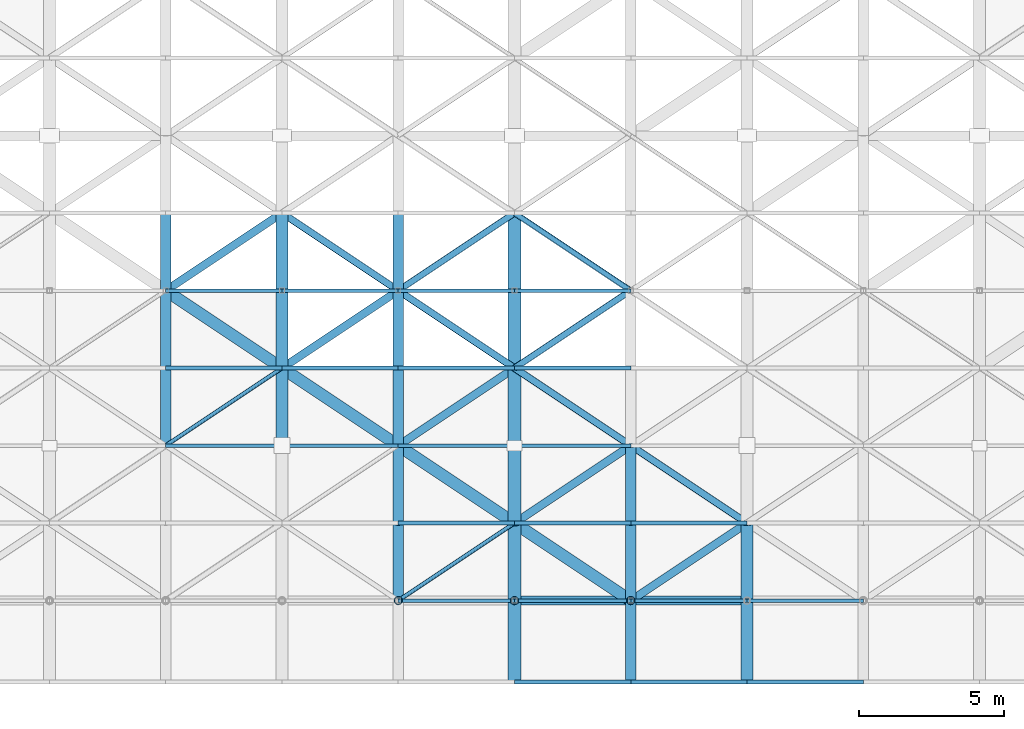
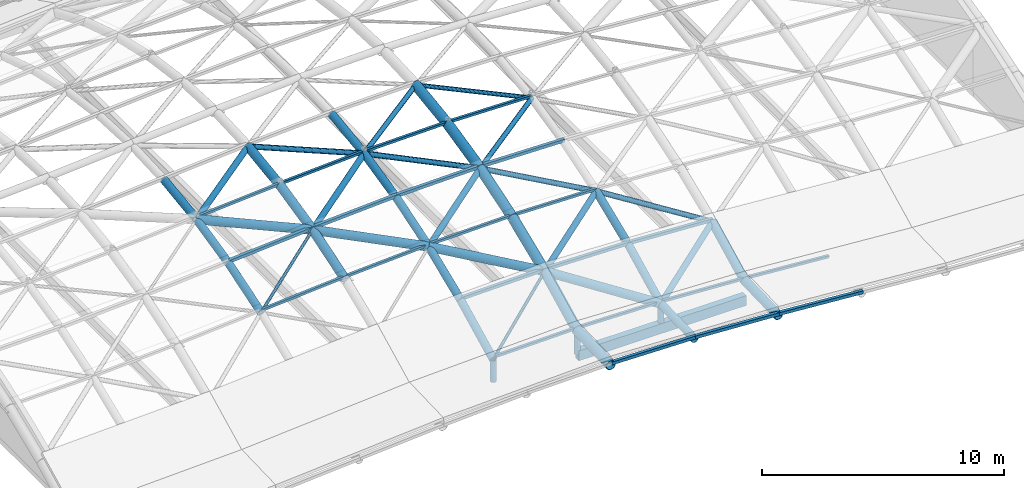
# One storey, part 28 of 72: 43 members, 23 beams.
"""IFC4 building model written with IfcOpenShell, lengths in metres."""

from ifc_helpers import new_model, si_unit, direction, frame, origin, origin_2d, place, context, subcontext, project, spatial, hollow_rectangle, hollow_circle, extrude, material, material_profile, profile_set, type_object, element, save


model = new_model("IFC4")

# Units and contexts
model_context = context("Model", 3, precision=1e-05, world=origin(), true_north=direction((0.0, 1.0)))
body_context = subcontext(model_context, "Body", "Model", "MODEL_VIEW")
ifc_project = project(units=[si_unit("LENGTHUNIT", "METRE"), si_unit("AREAUNIT", "SQUARE_METRE"), si_unit("VOLUMEUNIT", "CUBIC_METRE"), si_unit("PLANEANGLEUNIT", "RADIAN"), si_unit("MASSUNIT", "GRAM", prefix="KILO")], contexts=[model_context])

# Site, building, storey
site_placement = place(None, origin())
site = spatial("IfcSite", under=ifc_project, at=site_placement, CompositionType="ELEMENT")
building_placement = place(site_placement, origin())
building = spatial("IfcBuilding", under=site, at=building_placement, Name="Tenunan Teduh Sports Hall", CompositionType="ELEMENT")
storey_placement = place(building_placement, frame((0.0, 0.0, 15.0)))
storey = spatial("IfcBuildingStorey", under=building, at=storey_placement, Name="L03", CompositionType="ELEMENT", Elevation=15.0)

# Beams
ifc_material_1 = material(Name="Steel S355", Category="steel")
ifc_material_profile_1 = material_profile(ifc_material_1, hollow_circle(Radius=0.177734375, WallThickness=0.012451171875, at=origin_2d()), Name="CHS 355.6x12.5")
ifc_profile_set_1 = profile_set([ifc_material_profile_1], Name="Steel S355")
beam_type_1 = type_object("IfcBeamType", Name="GSB-CHS356", PredefinedType="BEAM", material=ifc_profile_set_1)
beam_1_placement = place(storey_placement, frame((134.0, 19.333251953125, 2.6669921875), z_axis=(0.0, 0.952205270427, 0.305458872798), x_axis=(-1.0, 0.0, 0.0)))
element("IfcBeam", 1, at=beam_1_placement, inside=storey, type_object=beam_type_1, Name="Gridshell Vault Arch BM-GR-04-L03-0111", PredefinedType="BEAM", context=body_context, shape_type="SweptSolid", body=[
    extrude(hollow_circle(Radius=0.177734375, WallThickness=0.012451171875, at=origin_2d()), origin(), (0.0, 0.0, 1.0), 2.800537109375),
])
beam_2_placement = place(storey_placement, frame((134.0, 22.0, 3.5224609375), z_axis=(0.0, 0.974871798782, 0.222766640095), x_axis=(-1.0, 0.0, 0.0)))
element("IfcBeam", 2, at=beam_2_placement, inside=storey, type_object=beam_type_1, Name="Gridshell Vault Arch BM-GR-04-L03-0112", PredefinedType="BEAM", context=body_context, shape_type="SweptSolid", body=[
    extrude(hollow_circle(Radius=0.177734375, WallThickness=0.012451171875, at=origin_2d()), origin(), (0.0, 0.0, 1.0), 2.735595703125),
])
beam_3_placement = place(storey_placement, frame((134.0, 24.666748046875, 4.1318359375), z_axis=(0.0, 0.99065158568, 0.136416405866), x_axis=(-1.0, 0.0, 0.0)))
element("IfcBeam", 3, at=beam_3_placement, inside=storey, type_object=beam_type_1, Name="Gridshell Vault Arch BM-GR-04-L03-0113", PredefinedType="BEAM", context=body_context, shape_type="SweptSolid", body=[
    extrude(hollow_circle(Radius=0.177734375, WallThickness=0.012451171875, at=origin_2d()), origin(), (0.0, 0.0, 1.0), 2.691650390625),
])
beam_4_placement = place(storey_placement, frame((142.0, 14.0, 0.7412109375), z_axis=(0.0, 0.893033000477, 0.449991177756), x_axis=(-1.0, 0.0, 0.0)))
element("IfcBeam", 4, at=beam_4_placement, inside=storey, type_object=beam_type_1, Name="Gridshell Vault Arch BM-GR-04-L03-0135", PredefinedType="BEAM", context=body_context, shape_type="SweptSolid", body=[
    extrude(hollow_circle(Radius=0.177734375, WallThickness=0.012451171875, at=origin_2d()), origin(), (0.0, 0.0, 1.0), 2.986083984375),
])
beam_5_placement = place(storey_placement, frame((142.0, 16.666748046875, 2.0849609375), z_axis=(0.0, 0.924239355634, 0.381813584748), x_axis=(-1.0, 0.0, 0.0)))
element("IfcBeam", 5, at=beam_5_placement, inside=storey, type_object=beam_type_1, Name="Gridshell Vault Arch BM-GR-04-L03-0136", PredefinedType="BEAM", context=body_context, shape_type="SweptSolid", body=[
    extrude(hollow_circle(Radius=0.177734375, WallThickness=0.012451171875, at=origin_2d()), origin(), (0.0, 0.0, 1.0), 2.885009765625),
])
beam_6_placement = place(storey_placement, frame((142.0, 19.333251953125, 3.1865234375), z_axis=(0.0, 0.952205270427, 0.305458872798), x_axis=(-1.0, 0.0, 0.0)))
element("IfcBeam", 6, at=beam_6_placement, inside=storey, type_object=beam_type_1, Name="Gridshell Vault Arch BM-GR-04-L03-0137", PredefinedType="BEAM", context=body_context, shape_type="SweptSolid", body=[
    extrude(hollow_circle(Radius=0.177734375, WallThickness=0.012451171875, at=origin_2d()), origin(), (0.0, 0.0, 1.0), 2.800537109375),
])
beam_7_placement = place(storey_placement, frame((142.0, 22.0, 4.0419921875), z_axis=(0.0, 0.974871798782, 0.222766640095), x_axis=(-1.0, 0.0, 0.0)))
element("IfcBeam", 7, at=beam_7_placement, inside=storey, type_object=beam_type_1, Name="Gridshell Vault Arch BM-GR-04-L03-0138", PredefinedType="BEAM", context=body_context, shape_type="SweptSolid", body=[
    extrude(hollow_circle(Radius=0.177734375, WallThickness=0.012451171875, at=origin_2d()), origin(), (0.0, 0.0, 1.0), 2.735595703125),
])
beam_8_placement = place(storey_placement, frame((142.0, 24.666748046875, 4.6513671875), z_axis=(0.0, 0.99065158568, 0.136416405866), x_axis=(-1.0, 0.0, 0.0)))
element("IfcBeam", 8, at=beam_8_placement, inside=storey, type_object=beam_type_1, Name="Gridshell Vault Arch BM-GR-04-L03-0139", PredefinedType="BEAM", context=body_context, shape_type="SweptSolid", body=[
    extrude(hollow_circle(Radius=0.177734375, WallThickness=0.012451171875, at=origin_2d()), origin(), (0.0, 0.0, 1.0), 2.691650390625),
])
beam_9_placement = place(storey_placement, frame((150.0, 11.199951171875, 0.6552734375), z_axis=(0.0, 0.999529350566, 0.030676984166), x_axis=(-1.0, 0.0, 0.0)))
element("IfcBeam", 9, at=beam_9_placement, inside=storey, type_object=beam_type_1, Name="Gridshell Vault Arch BM-GR-04-L03-0160", PredefinedType="BEAM", context=body_context, shape_type="SweptSolid", body=[
    extrude(hollow_circle(Radius=0.177734375, WallThickness=0.012451171875, at=origin_2d()), origin(), (0.0, 0.0, 1.0), 2.80126953125),
])
beam_10_placement = place(storey_placement, frame((150.0, 14.0, 0.7412109375), z_axis=(0.0, 0.893033000477, 0.449991177756), x_axis=(-1.0, 0.0, 0.0)))
element("IfcBeam", 10, at=beam_10_placement, inside=storey, type_object=beam_type_1, Name="Gridshell Vault Arch BM-GR-04-L03-0161", PredefinedType="BEAM", context=body_context, shape_type="SweptSolid", body=[
    extrude(hollow_circle(Radius=0.177734375, WallThickness=0.012451171875, at=origin_2d()), origin(), (0.0, 0.0, 1.0), 2.986083984375),
])
beam_11_placement = place(storey_placement, frame((150.0, 16.666748046875, 2.0849609375), z_axis=(0.0, 0.924239355634, 0.381813584748), x_axis=(-1.0, 0.0, 0.0)))
element("IfcBeam", 11, at=beam_11_placement, inside=storey, type_object=beam_type_1, Name="Gridshell Vault Arch BM-GR-04-L03-0162", PredefinedType="BEAM", context=body_context, shape_type="SweptSolid", body=[
    extrude(hollow_circle(Radius=0.177734375, WallThickness=0.012451171875, at=origin_2d()), origin(), (0.0, 0.0, 1.0), 2.885009765625),
])
ifc_material_2 = material(Name="Steel S355", Category="steel")
ifc_material_profile_2 = material_profile(ifc_material_2, hollow_circle(Radius=0.203125, WallThickness=0.01611328125, at=origin_2d()), Name="CHS 406.4x16.0")
ifc_profile_set_2 = profile_set([ifc_material_profile_2], Name="Steel S355")
beam_type_2 = type_object("IfcBeamType", Name="GSB-CHS406", PredefinedType="BEAM", material=ifc_profile_set_2)
beam_12_placement = place(storey_placement, frame((138.0, 19.333251953125, 2.9638671875), z_axis=(0.0, 0.952205270427, 0.305458872798), x_axis=(-1.0, 0.0, 0.0)))
element("IfcBeam", 12, at=beam_12_placement, inside=storey, type_object=beam_type_2, Name="Gridshell Vault Arch BM-GA-02-L03-0124", PredefinedType="BEAM", context=body_context, shape_type="SweptSolid", body=[
    extrude(hollow_circle(Radius=0.203125, WallThickness=0.01611328125, at=origin_2d()), origin(), (0.0, 0.0, 1.0), 2.800537109375),
])
beam_13_placement = place(storey_placement, frame((138.0, 22.0, 3.8193359375), z_axis=(0.0, 0.974871798782, 0.222766640095), x_axis=(-1.0, 0.0, 0.0)))
element("IfcBeam", 13, at=beam_13_placement, inside=storey, type_object=beam_type_2, Name="Gridshell Vault Arch BM-GA-02-L03-0125", PredefinedType="BEAM", context=body_context, shape_type="SweptSolid", body=[
    extrude(hollow_circle(Radius=0.203125, WallThickness=0.01611328125, at=origin_2d()), origin(), (0.0, 0.0, 1.0), 2.735595703125),
])
beam_14_placement = place(storey_placement, frame((138.0, 24.666748046875, 4.4287109375), z_axis=(0.0, 0.99065158568, 0.136416405866), x_axis=(-1.0, 0.0, 0.0)))
element("IfcBeam", 14, at=beam_14_placement, inside=storey, type_object=beam_type_2, Name="Gridshell Vault Arch BM-GA-02-L03-0126", PredefinedType="BEAM", context=body_context, shape_type="SweptSolid", body=[
    extrude(hollow_circle(Radius=0.203125, WallThickness=0.01611328125, at=origin_2d()), origin(), (0.0, 0.0, 1.0), 2.691650390625),
])
beam_15_placement = place(storey_placement, frame((154.0, 11.199951171875, 0.4326171875), z_axis=(0.0, 0.999529350566, 0.030676984166), x_axis=(-1.0, 0.0, 0.0)))
element("IfcBeam", 15, at=beam_15_placement, inside=storey, type_object=beam_type_2, Name="Gridshell Vault Arch BM-GA-02-L03-0173", PredefinedType="BEAM", context=body_context, shape_type="SweptSolid", body=[
    extrude(hollow_circle(Radius=0.203125, WallThickness=0.01611328125, at=origin_2d()), origin(), (0.0, 0.0, 1.0), 2.80126953125),
])
beam_16_placement = place(storey_placement, frame((154.0, 14.0, 0.5185546875), z_axis=(0.0, 0.893033000477, 0.449991177756), x_axis=(-1.0, 0.0, 0.0)))
element("IfcBeam", 16, at=beam_16_placement, inside=storey, type_object=beam_type_2, Name="Gridshell Vault Arch BM-GA-02-L03-0174", PredefinedType="BEAM", context=body_context, shape_type="SweptSolid", body=[
    extrude(hollow_circle(Radius=0.203125, WallThickness=0.01611328125, at=origin_2d()), origin(), (0.0, 0.0, 1.0), 2.986083984375),
])
ifc_material_3 = material(Name="Steel S355", Category="steel")
ifc_material_profile_3 = material_profile(ifc_material_3, hollow_circle(Radius=0.228515625, WallThickness=0.01611328125, at=origin_2d()), Name="CHS 457.0x16.0")
ifc_profile_set_3 = profile_set([ifc_material_profile_3], Name="Steel S355")
beam_type_3 = type_object("IfcBeamType", Name="GSB-CHS457", PredefinedType="BEAM", material=ifc_profile_set_3)
beam_17_placement = place(storey_placement, frame((146.0, 11.199951171875, 0.7333984375), z_axis=(0.0, 0.999529350566, 0.030676984166), x_axis=(-1.0, 0.0, 0.0)))
element("IfcBeam", 17, at=beam_17_placement, inside=storey, type_object=beam_type_3, Name="Gridshell Vault Arch BM-GA-01-L03-0147", PredefinedType="BEAM", context=body_context, shape_type="SweptSolid", body=[
    extrude(hollow_circle(Radius=0.228515625, WallThickness=0.01611328125, at=origin_2d()), origin(), (0.0, 0.0, 1.0), 2.80126953125),
])
beam_18_placement = place(storey_placement, frame((146.0, 14.0, 0.8193359375), z_axis=(0.0, 0.893033000477, 0.449991177756), x_axis=(-1.0, 0.0, 0.0)))
element("IfcBeam", 18, at=beam_18_placement, inside=storey, type_object=beam_type_3, Name="Gridshell Vault Arch BM-GA-01-L03-0148", PredefinedType="BEAM", context=body_context, shape_type="SweptSolid", body=[
    extrude(hollow_circle(Radius=0.228515625, WallThickness=0.01611328125, at=origin_2d()), origin(), (0.0, 0.0, 1.0), 2.986083984375),
])
beam_19_placement = place(storey_placement, frame((146.0, 16.666748046875, 2.1630859375), z_axis=(0.0, 0.924239355634, 0.381813584748), x_axis=(-1.0, 0.0, 0.0)))
element("IfcBeam", 19, at=beam_19_placement, inside=storey, type_object=beam_type_3, Name="Gridshell Vault Arch BM-GA-01-L03-0149", PredefinedType="BEAM", context=body_context, shape_type="SweptSolid", body=[
    extrude(hollow_circle(Radius=0.228515625, WallThickness=0.01611328125, at=origin_2d()), origin(), (0.0, 0.0, 1.0), 2.885009765625),
])
beam_20_placement = place(storey_placement, frame((146.0, 19.333251953125, 3.2646484375), z_axis=(0.0, 0.952205270427, 0.305458872798), x_axis=(-1.0, 0.0, 0.0)))
element("IfcBeam", 20, at=beam_20_placement, inside=storey, type_object=beam_type_3, Name="Gridshell Vault Arch BM-GA-01-L03-0150", PredefinedType="BEAM", context=body_context, shape_type="SweptSolid", body=[
    extrude(hollow_circle(Radius=0.228515625, WallThickness=0.01611328125, at=origin_2d()), origin(), (0.0, 0.0, 1.0), 2.800537109375),
])
beam_21_placement = place(storey_placement, frame((146.0, 22.0, 4.1201171875), z_axis=(0.0, 0.974871798782, 0.222766640095), x_axis=(-1.0, 0.0, 0.0)))
element("IfcBeam", 21, at=beam_21_placement, inside=storey, type_object=beam_type_3, Name="Gridshell Vault Arch BM-GA-01-L03-0151", PredefinedType="BEAM", context=body_context, shape_type="SweptSolid", body=[
    extrude(hollow_circle(Radius=0.228515625, WallThickness=0.01611328125, at=origin_2d()), origin(), (0.0, 0.0, 1.0), 2.735595703125),
])
beam_22_placement = place(storey_placement, frame((146.0, 24.666748046875, 4.7294921875), z_axis=(0.0, 0.99065158568, 0.136416405866), x_axis=(-1.0, 0.0, 0.0)))
element("IfcBeam", 22, at=beam_22_placement, inside=storey, type_object=beam_type_3, Name="Gridshell Vault Arch BM-GA-01-L03-0152", PredefinedType="BEAM", context=body_context, shape_type="SweptSolid", body=[
    extrude(hollow_circle(Radius=0.228515625, WallThickness=0.01611328125, at=origin_2d()), origin(), (0.0, 0.0, 1.0), 2.691650390625),
])

# Members
ifc_material_4 = material(Name="Steel S355", Category="steel")
ifc_material_profile_4 = material_profile(ifc_material_4, hollow_circle(Radius=0.06982421875, WallThickness=0.00634765625, at=origin_2d()), Name="CHS 139.7x6.3")
ifc_profile_set_4 = profile_set([ifc_material_profile_4], Name="Steel S355")
member_type_1 = type_object("IfcMemberType", Name="MEM-BR-CHS140", PredefinedType="BRACE", material=ifc_profile_set_4)
member_1_placement = place(storey_placement, frame((134.0, 19.333251953125, 2.6669921875), z_axis=(0.809122643015, 0.539431556986, 0.233096855166), x_axis=(-0.554711915519, 0.832042481356, 0.0)))
element("IfcMember", 23, at=member_1_placement, inside=storey, type_object=member_type_1, Name="MEM-GD-05-L03-0188", PredefinedType="BRACE", context=body_context, shape_type="SweptSolid", body=[
    extrude(hollow_circle(Radius=0.06982421875, WallThickness=0.00634765625, at=origin_2d()), origin(), (0.0, 0.0, 1.0), 4.943603515625),
])
member_2_placement = place(storey_placement, frame((142.0, 14.0, 0.7412109375), z_axis=(0.79787610942, 0.531933639111, 0.28362002327), x_axis=(-0.554711915519, 0.832042481356, 0.0)))
element("IfcMember", 24, at=member_2_placement, inside=storey, type_object=member_type_1, Name="MEM-GD-05-L03-0238", PredefinedType="BRACE", context=body_context, shape_type="SweptSolid", body=[
    extrude(hollow_circle(Radius=0.06982421875, WallThickness=0.00634765625, at=origin_2d()), origin(), (0.0, 0.0, 1.0), 5.013427734375),
])
ifc_material_5 = material(Name="Steel S355", Category="steel")
ifc_material_profile_5 = material_profile(ifc_material_5, hollow_circle(Radius=0.096923828125, WallThickness=0.008056640625, at=origin_2d()), Name="CHS 193.7x8.0")
ifc_profile_set_5 = profile_set([ifc_material_profile_5], Name="Steel S355")
member_type_2 = type_object("IfcMemberType", Name="MEM-BR-CHS194", PredefinedType="BRACE", material=ifc_profile_set_5)
member_3_placement = place(storey_placement, frame((146.0, 27.333251953125, 5.0966796875), z_axis=(0.828518856443, -0.552312191777, -0.092237450815), x_axis=(0.554676756648, 0.832065920246, 0.0)))
element("IfcMember", 25, at=member_3_placement, inside=storey, type_object=member_type_2, Name="MEM-GD-03-L03-0268", PredefinedType="BRACE", context=body_context, shape_type="SweptSolid", body=[
    extrude(hollow_circle(Radius=0.096923828125, WallThickness=0.008056640625, at=origin_2d()), origin(), (0.0, 0.0, 1.0), 4.827880859375),
])
ifc_material_6 = material(Name="Steel S355", Category="steel")
ifc_material_profile_6 = material_profile(ifc_material_6, hollow_circle(Radius=0.109619140625, WallThickness=0.010009765625, at=origin_2d()), Name="CHS 219.1x10.0")
ifc_profile_set_6 = profile_set([ifc_material_profile_6], Name="Steel S355")
member_type_3 = type_object("IfcMemberType", Name="MEM-BR-CHS219", PredefinedType="BRACE", material=ifc_profile_set_6)
member_4_placement = place(storey_placement, frame((142.0, 24.666748046875, 4.6513671875), z_axis=(0.828518856443, 0.552312191777, 0.092237450815), x_axis=(-0.554676756648, 0.832065920246, 0.0)))
element("IfcMember", 26, at=member_4_placement, inside=storey, type_object=member_type_3, Name="MEM-GD-02-L03-0242", PredefinedType="BRACE", context=body_context, shape_type="SweptSolid", body=[
    extrude(hollow_circle(Radius=0.109619140625, WallThickness=0.010009765625, at=origin_2d()), origin(), (0.0, 0.0, 1.0), 4.827880859375),
])
member_5_placement = place(storey_placement, frame((146.0, 22.0, 4.1201171875), z_axis=(0.827008298799, 0.551355691393, 0.109837039684), x_axis=(-0.554711915519, 0.832042481356, 0.0)))
element("IfcMember", 27, at=member_5_placement, inside=storey, type_object=member_type_3, Name="MEM-GD-02-L03-0267", PredefinedType="BRACE", context=body_context, shape_type="SweptSolid", body=[
    extrude(hollow_circle(Radius=0.109619140625, WallThickness=0.010009765625, at=origin_2d()), origin(), (0.0, 0.0, 1.0), 4.836669921875),
])
ifc_material_7 = material(Name="Steel S355", Category="steel")
ifc_material_profile_7 = material_profile(ifc_material_7, hollow_circle(Radius=0.122314453125, WallThickness=0.010009765625, at=origin_2d()), Name="CHS 244.5x10.0")
ifc_profile_set_7 = profile_set([ifc_material_profile_7], Name="Steel S355")
member_type_4 = type_object("IfcMemberType", Name="MEM-BR-CHS245", PredefinedType="BRACE", material=ifc_profile_set_7)
member_6_placement = place(storey_placement, frame((138.0, 27.333251953125, 4.7958984375), z_axis=(0.831690123992, -0.554426241103, -0.030051303308), x_axis=(0.554676756648, 0.832065920246, 0.0)))
element("IfcMember", 28, at=member_6_placement, inside=storey, type_object=member_type_4, Name="MEM-GD-01-L03-0216", PredefinedType="BRACE", context=body_context, shape_type="SweptSolid", body=[
    extrude(hollow_circle(Radius=0.122314453125, WallThickness=0.010009765625, at=origin_2d()), origin(), (0.0, 0.0, 1.0), 4.8095703125),
])
member_7_placement = place(storey_placement, frame((142.0, 24.666748046875, 4.6513671875), z_axis=(0.827008298799, -0.551355691393, -0.109837039684), x_axis=(0.554711915519, 0.832042481356, 0.0)))
element("IfcMember", 29, at=member_7_placement, inside=storey, type_object=member_type_4, Name="MEM-GD-01-L03-0241", PredefinedType="BRACE", context=body_context, shape_type="SweptSolid", body=[
    extrude(hollow_circle(Radius=0.122314453125, WallThickness=0.010009765625, at=origin_2d()), origin(), (0.0, 0.0, 1.0), 4.836669921875),
])
member_8_placement = place(storey_placement, frame((146.0, 22.0, 4.1201171875), z_axis=(0.816783485072, -0.544538940884, -0.190635989192), x_axis=(0.554711915519, 0.832042481356, 0.0)))
element("IfcMember", 30, at=member_8_placement, inside=storey, type_object=member_type_4, Name="MEM-GD-01-L03-0266", PredefinedType="BRACE", context=body_context, shape_type="SweptSolid", body=[
    extrude(hollow_circle(Radius=0.122314453125, WallThickness=0.010009765625, at=origin_2d()), origin(), (0.0, 0.0, 1.0), 4.897216796875),
])
member_9_placement = place(storey_placement, frame((150.0, 19.333251953125, 3.1865234375), z_axis=(0.802188170965, -0.534759472856, -0.265568154255), x_axis=(0.554676756648, 0.832065920246, 0.0)))
element("IfcMember", 31, at=member_9_placement, inside=storey, type_object=member_type_4, Name="MEM-GD-01-L03-0291", PredefinedType="BRACE", context=body_context, shape_type="SweptSolid", body=[
    extrude(hollow_circle(Radius=0.122314453125, WallThickness=0.010009765625, at=origin_2d()), origin(), (0.0, 0.0, 1.0), 4.986328125),
])
ifc_material_8 = material(Name="Steel S355", Category="steel")
ifc_material_profile_8 = material_profile(ifc_material_8, hollow_circle(Radius=0.136474609375, WallThickness=0.010009765625, at=origin_2d()), Name="CHS 273.0x10.0")
ifc_profile_set_8 = profile_set([ifc_material_profile_8], Name="Steel S355")
member_type_5 = type_object("IfcMemberType", Name="MEM-CH-CHS273", PredefinedType="CHORD", material=ifc_profile_set_8)
member_10_placement = place(storey_placement, frame((134.0, 24.666748046875, 4.1318359375), z_axis=(0.824239204019, 0.5494592643, 0.136836586605), x_axis=(-0.554676756648, 0.832065920246, 0.0)))
element("IfcMember", 32, at=member_10_placement, inside=storey, type_object=member_type_5, Name="MEM-GC-03-L03-0190", PredefinedType="CHORD", context=body_context, shape_type="SweptSolid", body=[
    extrude(hollow_circle(Radius=0.136474609375, WallThickness=0.010009765625, at=origin_2d()), origin(), (0.0, 0.0, 1.0), 4.85302734375),
])
member_11_placement = place(storey_placement, frame((138.0, 22.0, 3.8193359375), z_axis=(0.819854249559, 0.546586179684, 0.17053608902), x_axis=(-0.554711915519, 0.832042481356, 0.0)))
element("IfcMember", 33, at=member_11_placement, inside=storey, type_object=member_type_5, Name="MEM-GC-03-L03-0215", PredefinedType="CHORD", context=body_context, shape_type="SweptSolid", body=[
    extrude(hollow_circle(Radius=0.136474609375, WallThickness=0.010009765625, at=origin_2d()), origin(), (0.0, 0.0, 1.0), 4.87890625),
])
member_12_placement = place(storey_placement, frame((142.0, 19.333251953125, 3.1865234375), z_axis=(0.816783485072, 0.544538940884, 0.190635989192), x_axis=(-0.554711915519, 0.832042481356, 0.0)))
element("IfcMember", 34, at=member_12_placement, inside=storey, type_object=member_type_5, Name="MEM-GC-03-L03-0240", PredefinedType="CHORD", context=body_context, shape_type="SweptSolid", body=[
    extrude(hollow_circle(Radius=0.136474609375, WallThickness=0.010009765625, at=origin_2d()), origin(), (0.0, 0.0, 1.0), 4.897216796875),
])
member_13_placement = place(storey_placement, frame((146.0, 16.666748046875, 2.1630859375), z_axis=(0.813827746472, 0.542518716245, 0.20822545857), x_axis=(-0.554676756648, 0.832065920246, 0.0)))
element("IfcMember", 35, at=member_13_placement, inside=storey, type_object=member_type_5, Name="MEM-GC-03-L03-0265", PredefinedType="CHORD", context=body_context, shape_type="SweptSolid", body=[
    extrude(hollow_circle(Radius=0.136474609375, WallThickness=0.010009765625, at=origin_2d()), origin(), (0.0, 0.0, 1.0), 4.9150390625),
])
member_14_placement = place(storey_placement, frame((150.0, 14.0, 0.7412109375), z_axis=(0.810301264232, 0.540217328443, 0.227105920737), x_axis=(-0.554711915519, 0.832042481356, 0.0)))
element("IfcMember", 36, at=member_14_placement, inside=storey, type_object=member_type_5, Name="MEM-GC-03-L03-0290", PredefinedType="CHORD", context=body_context, shape_type="SweptSolid", body=[
    extrude(hollow_circle(Radius=0.136474609375, WallThickness=0.010009765625, at=origin_2d()), origin(), (0.0, 0.0, 1.0), 4.9365234375),
])
ifc_material_9 = material(Name="Steel S355", Category="steel")
ifc_material_profile_9 = material_profile(ifc_material_9, hollow_circle(Radius=0.203125, WallThickness=0.012451171875, at=origin_2d()), Name="CHS 406.4x12.5")
ifc_profile_set_9 = profile_set([ifc_material_profile_9], Name="Steel S355")
member_type_6 = type_object("IfcMemberType", Name="MEM-CH-CHS406L", PredefinedType="CHORD", material=ifc_profile_set_9)
member_15_placement = place(storey_placement, frame((134.0, 24.666748046875, 4.1318359375), z_axis=(0.83029016339, -0.55354366789, -0.064866419015), x_axis=(0.554711915519, 0.832042481356, 0.0)))
element("IfcMember", 37, at=member_15_placement, inside=storey, type_object=member_type_6, Name="MEM-GC-01-L03-0189", PredefinedType="CHORD", context=body_context, shape_type="SweptSolid", body=[
    extrude(hollow_circle(Radius=0.203125, WallThickness=0.012451171875, at=origin_2d()), origin(), (0.0, 0.0, 1.0), 4.817626953125),
])
member_16_placement = place(storey_placement, frame((138.0, 22.0, 3.8193359375), z_axis=(0.824926460417, -0.549967756783, -0.130505943933), x_axis=(0.554711915519, 0.832042481356, 0.0)))
element("IfcMember", 38, at=member_16_placement, inside=storey, type_object=member_type_6, Name="MEM-GC-01-L03-0214", PredefinedType="CHORD", context=body_context, shape_type="SweptSolid", body=[
    extrude(hollow_circle(Radius=0.203125, WallThickness=0.012451171875, at=origin_2d()), origin(), (0.0, 0.0, 1.0), 4.848876953125),
])
member_17_placement = place(storey_placement, frame((142.0, 19.333251953125, 3.1865234375), z_axis=(0.813827746472, -0.542518716245, -0.20822545857), x_axis=(0.554676756648, 0.832065920246, 0.0)))
element("IfcMember", 39, at=member_17_placement, inside=storey, type_object=member_type_6, Name="MEM-GC-01-L03-0239", PredefinedType="CHORD", context=body_context, shape_type="SweptSolid", body=[
    extrude(hollow_circle(Radius=0.203125, WallThickness=0.012451171875, at=origin_2d()), origin(), (0.0, 0.0, 1.0), 4.9150390625),
])
member_18_placement = place(storey_placement, frame((146.0, 16.666748046875, 2.1630859375), z_axis=(0.79787610942, -0.531933639111, -0.28362002327), x_axis=(0.554711915519, 0.832042481356, 0.0)))
element("IfcMember", 40, at=member_18_placement, inside=storey, type_object=member_type_6, Name="MEM-GC-01-L03-0264", PredefinedType="CHORD", context=body_context, shape_type="SweptSolid", body=[
    extrude(hollow_circle(Radius=0.203125, WallThickness=0.012451171875, at=origin_2d()), origin(), (0.0, 0.0, 1.0), 5.013427734375),
])
ifc_material_10 = material(Name="Steel S355", Category="steel")
ifc_material_profile_10 = material_profile(ifc_material_10, hollow_rectangle(XDim=0.1201171875, YDim=0.1201171875, WallThickness=0.00634765625, at=origin_2d()), Name="SHS 120x120x6.3")
ifc_profile_set_10 = profile_set([ifc_material_profile_10], Name="Steel S355")
member_type_7 = type_object("IfcMemberType", Name="MEM-PR-SHS120", PredefinedType="PURLIN", material=ifc_profile_set_10)
for number, where, z_axis, x_axis, name in (
    (41, (134.0, 19.333251953125, 2.786865234375), (0.997257115114, 0.0, 0.074015176512), (0.0, 1.0, 0.0), "MEM-PR-02-L03-0175"),
    (42, (134.0, 24.666748046875, 4.251708984375), (0.997257115114, 0.0, 0.074015176512), (0.0, 1.0, 0.0), "MEM-PR-02-L03-0177"),
):
    element("IfcMember", number, at=place(storey_placement, frame(where, z_axis=z_axis, x_axis=x_axis)), inside=storey, type_object=member_type_7, Name=name, PredefinedType="PURLIN", context=body_context, shape_type="SweptSolid", body=[
        extrude(hollow_rectangle(XDim=0.1201171875, YDim=0.1201171875, WallThickness=0.00634765625, at=origin_2d()), origin(), (0.0, 0.0, 1.0), 4.010986328125),
    ])
for number, where, z_axis, x_axis, name in (
    (43, (138.0, 19.333251953125, 3.083740234375), (0.998454347037, 0.0, 0.055578025177), (0.0, 1.0, 0.0), "MEM-PR-02-L03-0201"),
    (44, (138.0, 24.666748046875, 4.548583984375), (0.998454347037, 0.0, 0.055578025177), (0.0, 1.0, 0.0), "MEM-PR-02-L03-0203"),
):
    element("IfcMember", number, at=place(storey_placement, frame(where, z_axis=z_axis, x_axis=x_axis)), inside=storey, type_object=member_type_7, Name=name, PredefinedType="PURLIN", context=body_context, shape_type="SweptSolid", body=[
        extrude(hollow_rectangle(XDim=0.1201171875, YDim=0.1201171875, WallThickness=0.00634765625, at=origin_2d()), origin(), (0.0, 0.0, 1.0), 4.006103515625),
    ])
for number, where, z_axis, x_axis, name in (
    (45, (142.0, 14.0, 0.861083984375), (0.999809319689, 0.0, 0.019527525775), (0.0, 1.0, 0.0), "MEM-PR-02-L03-0225"),
    (46, (142.0, 19.333251953125, 3.306396484375), (0.999809319689, 0.0, 0.019527525775), (0.0, 1.0, 0.0), "MEM-PR-02-L03-0227"),
    (47, (142.0, 24.666748046875, 4.771240234375), (0.999809319689, 0.0, 0.019527525775), (0.0, 1.0, 0.0), "MEM-PR-02-L03-0229"),
    (48, (146.0, 14.0, 0.939208984375), (0.999809319689, 0.0, -0.019527525775), (0.0, 1.0, 0.0), "MEM-PR-02-L03-0251"),
    (49, (146.0, 19.333251953125, 3.384521484375), (0.999809319689, 0.0, -0.019527525775), (0.0, 1.0, 0.0), "MEM-PR-02-L03-0253"),
    (50, (146.0, 24.666748046875, 4.849365234375), (0.999809319689, 0.0, -0.019527525775), (0.0, 1.0, 0.0), "MEM-PR-02-L03-0255"),
):
    element("IfcMember", number, at=place(storey_placement, frame(where, z_axis=z_axis, x_axis=x_axis)), inside=storey, type_object=member_type_7, Name=name, PredefinedType="PURLIN", context=body_context, shape_type="SweptSolid", body=[
        extrude(hollow_rectangle(XDim=0.1201171875, YDim=0.1201171875, WallThickness=0.00634765625, at=origin_2d()), origin(), (0.0, 0.0, 1.0), 4.000732421875),
    ])
member_19_placement = place(storey_placement, frame((150.0, 14.0, 0.861083984375), z_axis=(0.998454347037, 0.0, -0.055578025177), x_axis=(0.0, 1.0, 0.0)))
element("IfcMember", 51, at=member_19_placement, inside=storey, type_object=member_type_7, Name="MEM-PR-02-L03-0277", PredefinedType="PURLIN", context=body_context, shape_type="SweptSolid", body=[
    extrude(hollow_rectangle(XDim=0.1201171875, YDim=0.1201171875, WallThickness=0.00634765625, at=origin_2d()), origin(), (0.0, 0.0, 1.0), 4.006103515625),
])
member_20_placement = place(storey_placement, frame((154.0, 14.0, 0.638427734375), z_axis=(0.997257115114, 0.0, -0.074015176512), x_axis=(0.0, 1.0, 0.0)))
element("IfcMember", 52, at=member_20_placement, inside=storey, type_object=member_type_7, Name="MEM-PR-02-L03-0303", PredefinedType="PURLIN", context=body_context, shape_type="SweptSolid", body=[
    extrude(hollow_rectangle(XDim=0.1201171875, YDim=0.1201171875, WallThickness=0.00634765625, at=origin_2d()), origin(), (0.0, 0.0, 1.0), 4.010986328125),
])
ifc_material_11 = material(Name="Steel S355", Category="steel")
ifc_material_profile_11 = material_profile(ifc_material_11, hollow_rectangle(XDim=0.14990234375, YDim=0.14990234375, WallThickness=0.008056640625, at=origin_2d()), Name="SHS 150x150x8.0")
ifc_profile_set_11 = profile_set([ifc_material_profile_11], Name="Steel S355")
member_type_8 = type_object("IfcMemberType", Name="MEM-PR-SHS150", PredefinedType="PURLIN", material=ifc_profile_set_11)
member_21_placement = place(storey_placement, frame((134.0, 22.0, 3.642333984375), z_axis=(0.997257115114, 0.0, 0.074015176512), x_axis=(0.0, 1.0, 0.0)))
element("IfcMember", 53, at=member_21_placement, inside=storey, type_object=member_type_8, Name="MEM-PR-01-L03-0176", PredefinedType="PURLIN", context=body_context, shape_type="SweptSolid", body=[
    extrude(hollow_rectangle(XDim=0.14990234375, YDim=0.14990234375, WallThickness=0.008056640625, at=origin_2d()), origin(), (0.0, 0.0, 1.0), 4.010986328125),
])
member_22_placement = place(storey_placement, frame((138.0, 22.0, 3.939208984375), z_axis=(0.998454347037, 0.0, 0.055578025177), x_axis=(0.0, 1.0, 0.0)))
element("IfcMember", 54, at=member_22_placement, inside=storey, type_object=member_type_8, Name="MEM-PR-01-L03-0202", PredefinedType="PURLIN", context=body_context, shape_type="SweptSolid", body=[
    extrude(hollow_rectangle(XDim=0.14990234375, YDim=0.14990234375, WallThickness=0.008056640625, at=origin_2d()), origin(), (0.0, 0.0, 1.0), 4.006103515625),
])
for number, where, z_axis, x_axis, name in (
    (55, (142.0, 16.666748046875, 2.204833984375), (0.999809319689, 0.0, 0.019527525775), (0.0, 1.0, 0.0), "MEM-PR-01-L03-0226"),
    (56, (142.0, 22.0, 4.161865234375), (0.999809319689, 0.0, 0.019527525775), (0.0, 1.0, 0.0), "MEM-PR-01-L03-0228"),
    (57, (146.0, 11.199951171875, 0.853271484375), (0.999809319689, 0.0, -0.019527525775), (0.0, 1.0, 0.0), "MEM-PR-01-L03-0250"),
    (58, (146.0, 16.666748046875, 2.282958984375), (0.999809319689, 0.0, -0.019527525775), (0.0, 1.0, 0.0), "MEM-PR-01-L03-0252"),
    (59, (146.0, 22.0, 4.239990234375), (0.999809319689, 0.0, -0.019527525775), (0.0, 1.0, 0.0), "MEM-PR-01-L03-0254"),
):
    element("IfcMember", number, at=place(storey_placement, frame(where, z_axis=z_axis, x_axis=x_axis)), inside=storey, type_object=member_type_8, Name=name, PredefinedType="PURLIN", context=body_context, shape_type="SweptSolid", body=[
        extrude(hollow_rectangle(XDim=0.14990234375, YDim=0.14990234375, WallThickness=0.008056640625, at=origin_2d()), origin(), (0.0, 0.0, 1.0), 4.000732421875),
    ])
for number, where, z_axis, x_axis, name in (
    (60, (150.0, 11.199951171875, 0.775146484375), (0.998454347037, 0.0, -0.055578025177), (0.0, 1.0, 0.0), "MEM-PR-01-L03-0276"),
    (61, (150.0, 16.666748046875, 2.204833984375), (0.998454347037, 0.0, -0.055578025177), (0.0, 1.0, 0.0), "MEM-PR-01-L03-0278"),
):
    element("IfcMember", number, at=place(storey_placement, frame(where, z_axis=z_axis, x_axis=x_axis)), inside=storey, type_object=member_type_8, Name=name, PredefinedType="PURLIN", context=body_context, shape_type="SweptSolid", body=[
        extrude(hollow_rectangle(XDim=0.14990234375, YDim=0.14990234375, WallThickness=0.008056640625, at=origin_2d()), origin(), (0.0, 0.0, 1.0), 4.006103515625),
    ])
member_23_placement = place(storey_placement, frame((154.0, 11.199951171875, 0.552490234375), z_axis=(0.997257115114, 0.0, -0.074015176512), x_axis=(0.0, 1.0, 0.0)))
element("IfcMember", 62, at=member_23_placement, inside=storey, type_object=member_type_8, Name="MEM-PR-01-L03-0302", PredefinedType="PURLIN", context=body_context, shape_type="SweptSolid", body=[
    extrude(hollow_rectangle(XDim=0.14990234375, YDim=0.14990234375, WallThickness=0.008056640625, at=origin_2d()), origin(), (0.0, 0.0, 1.0), 4.010986328125),
])
ifc_material_12 = material(Name="Steel S355", Category="steel")
ifc_material_profile_12 = material_profile(ifc_material_12, hollow_circle(Radius=0.136474609375, WallThickness=0.010009765625, at=origin_2d()), Name="CHS 273.0x10.0")
ifc_profile_set_12 = profile_set([ifc_material_profile_12], Name="Steel S355")
member_type_9 = type_object("IfcMemberType", Name="MEM-ST-CHS273", PredefinedType="STRUT", material=ifc_profile_set_12)
member_24_placement = place(storey_placement, frame((142.0, 14.0, -0.35009765625), z_axis=(0.0, 0.0, 1.0), x_axis=(1.0, 0.0, 0.0)))
element("IfcMember", 63, at=member_24_placement, inside=storey, type_object=member_type_9, Name="MEM-VS-04-L03-0036", PredefinedType="STRUT", context=body_context, shape_type="SweptSolid", body=[
    extrude(hollow_circle(Radius=0.136474609375, WallThickness=0.010009765625, at=origin_2d()), origin(), (0.0, 0.0, 1.0), 1.09130859375),
])
member_25_placement = place(storey_placement, frame((146.0, 14.0, -0.35009765625), z_axis=(0.0, 0.0, 1.0), x_axis=(1.0, 0.0, 0.0)))
element("IfcMember", 64, at=member_25_placement, inside=storey, type_object=member_type_9, Name="MEM-VS-04-L03-0043", PredefinedType="STRUT", context=body_context, shape_type="SweptSolid", body=[
    extrude(hollow_circle(Radius=0.136474609375, WallThickness=0.010009765625, at=origin_2d()), origin(), (0.0, 0.0, 1.0), 1.16943359375),
])
member_26_placement = place(storey_placement, frame((150.0, 14.0, -0.35009765625), z_axis=(0.0, 0.0, 1.0), x_axis=(1.0, 0.0, 0.0)))
element("IfcMember", 65, at=member_26_placement, inside=storey, type_object=member_type_9, Name="MEM-VS-04-L03-0050", PredefinedType="STRUT", context=body_context, shape_type="SweptSolid", body=[
    extrude(hollow_circle(Radius=0.136474609375, WallThickness=0.010009765625, at=origin_2d()), origin(), (0.0, 0.0, 1.0), 1.09130859375),
])

# Beam
ifc_material_13 = material(Name="Steel S355", Category="steel")
ifc_material_profile_13 = material_profile(ifc_material_13, hollow_rectangle(XDim=0.300048828125, YDim=0.5, WallThickness=0.01611328125, at=origin_2d()), Name="RHS 500x300x16.0")
ifc_profile_set_13 = profile_set([ifc_material_profile_13], Name="Steel S355")
beam_type_4 = type_object("IfcBeamType", Name="RBM-RHS500", PredefinedType="SPANDREL", material=ifc_profile_set_13)
beam_23_placement = place(storey_placement, frame((146.0, 14.0, -0.409912109375), z_axis=(1.0, 0.0, 0.0), x_axis=(0.0, 1.0, 0.0)))
element("IfcBeam", 66, at=beam_23_placement, inside=storey, type_object=beam_type_4, Name="Perimeter Ring Beam BM-RB-01-L03-0050", PredefinedType="SPANDREL", context=body_context, shape_type="SweptSolid", body=[
    extrude(hollow_rectangle(XDim=0.300048828125, YDim=0.5, WallThickness=0.01611328125, at=origin_2d()), origin(), (0.0, 0.0, 1.0), 8.0),
])

save(model, "model.ifc")
